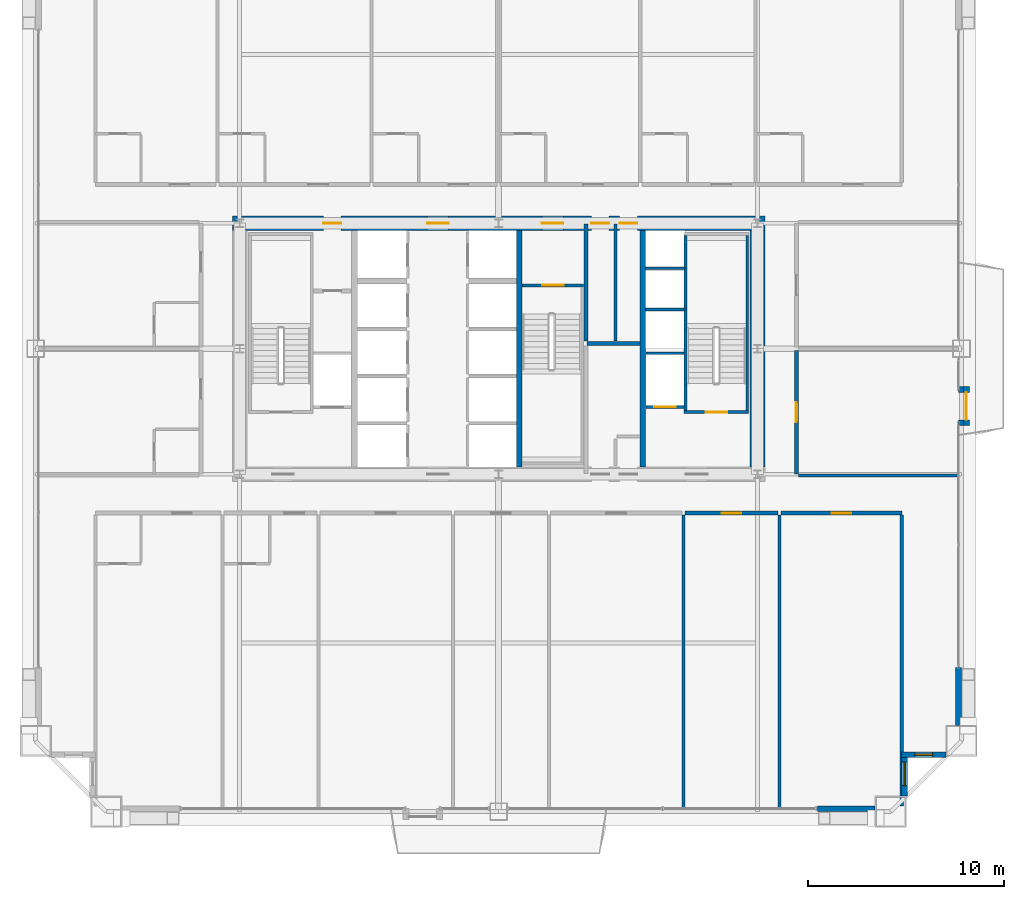
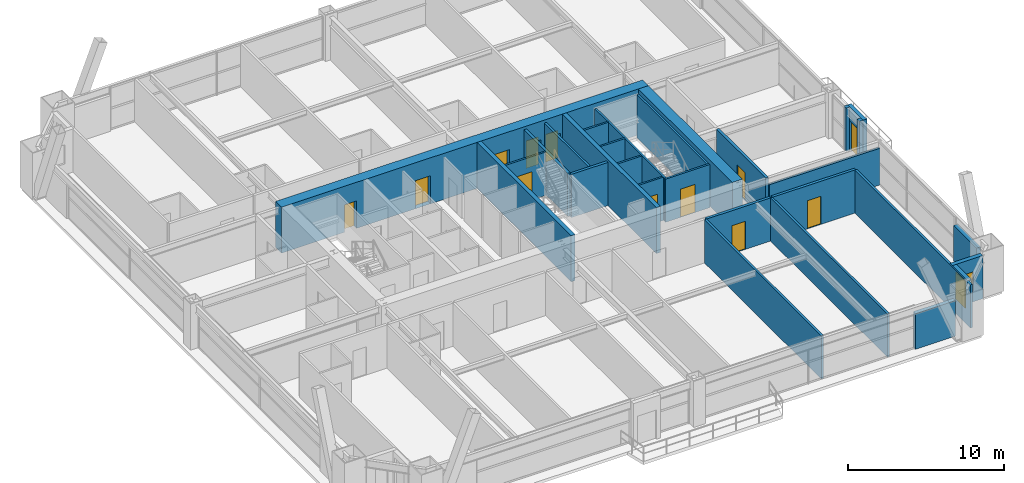
# One storey, part 40 of 43: 29 walls, 12 doors, 2 windows, 14 openings.
"""IFC4 building model written with IfcOpenShell, lengths in metres."""

from ifc_helpers import new_model, si_unit, direction, frame, frame_2d, origin, place, context, subcontext, project, spatial, rectangle, extrude, source, transform, mapped, material, layer, layer_set, type_object, element, fill, save


model = new_model("IFC4")

# Units and contexts
model_context = context("Model", 3, precision=1e-05, world=origin(), true_north=direction((0.0, 1.0)))
body_context = subcontext(model_context, "Body", "Model", "MODEL_VIEW")
ifc_project = project(units=[si_unit("LENGTHUNIT", "METRE"), si_unit("AREAUNIT", "SQUARE_METRE"), si_unit("VOLUMEUNIT", "CUBIC_METRE"), si_unit("PLANEANGLEUNIT", "RADIAN"), si_unit("MASSUNIT", "GRAM", prefix="KILO"), si_unit("THERMODYNAMICTEMPERATUREUNIT", "KELVIN"), si_unit("POWERUNIT", "WATT")], contexts=[model_context])

# Site, building, storey
site_placement = place(None, origin())
site = spatial("IfcSite", under=ifc_project, at=site_placement, CompositionType="ELEMENT")
building_placement = place(site_placement, origin())
building = spatial("IfcBuilding", under=site, at=building_placement, Name="Yuzanri Waterfront Tower", CompositionType="ELEMENT")
storey_placement = place(building_placement, frame((0.0, 0.0, 159.60009765625)))
storey = spatial("IfcBuildingStorey", under=building, at=storey_placement, Name="L42", CompositionType="ELEMENT", Elevation=159.60009765625)

# Wall, opening, window
ifc_material_1 = material(Name="Honed Chongqing Dark Basalt Stone", Category="masonry")
ifc_layer_1 = layer(ifc_material_1, 0.300048828125)
ifc_layer_set_1 = layer_set([ifc_layer_1], Name="Honed Chongqing Dark Basalt Stone")
wall_type_1 = type_object("IfcWallType", Name="Bronze Rainscreen Insulated Spandrel Portal Wall 300", PredefinedType="SOLIDWALL", material=ifc_layer_set_1)
wall_1_placement = place(storey_placement, frame((57.550048828125, 5.10009765625, 0.0), z_axis=(0.0, 0.0, 1.0), x_axis=(1.0, 0.0, 0.0)))
wall_1 = element("IfcWall", 1, at=wall_1_placement, inside=storey, type_object=wall_type_1, Name="L42 Notched Corner Masonry Wall SE-X", PredefinedType="SOLIDWALL", context=body_context, shape_type="SweptSolid", body=[
    extrude(rectangle(XDim=2.25, YDim=0.300048828125, at=frame_2d((1.125, 0.0))), origin(), (0.0, 0.0, 1.0), 3.3798828125),
])
opening_1_placement = place(wall_1_placement, frame((0.675048828125, 0.0, 0.85009765625)))
opening_1 = element("IfcOpeningElement", 2, at=opening_1_placement, cuts=wall_1, Name="Opening WN-05", PredefinedType="OPENING", context=body_context, shape_type="SweptSolid", body=[
    extrude(rectangle(XDim=0.89990234375, YDim=1.5, at=frame_2d((0.449951171875, 0.75))), frame((0.0, 0.1650390625, 0.0), z_axis=(0.0, -1.0, 0.0), x_axis=(1.0, 0.0, 0.0)), (0.0, 0.0, 1.0), 0.329833984375),
])
ifc_material_2 = material(Name="Double-Silver Low-E Insulated Glass", Category="glass")
window_type_1 = type_object("IfcWindowType", Name="Anodized Bronze Service and Stairwell Smoke-Vent Window 900x1500", PartitioningType="SINGLE_PANEL", PredefinedType="WINDOW", material=ifc_material_2)
shared_shape_1 = source(origin(), body_context, "Body", "SweptSolid", [
    extrude(rectangle(XDim=0.89990234375, YDim=1.5, at=frame_2d((0.449951171875, 0.75))), frame((0.0, 0.030029296875, 0.0), z_axis=(0.0, -1.0, 0.0), x_axis=(1.0, 0.0, 0.0)), (0.0, 0.0, 1.0), 0.06005859375),
])
window_1_placement = place(opening_1_placement, origin())
window_1 = element("IfcWindow", 3, at=window_1_placement, inside=storey, type_object=window_type_1, Name="L42 Notched Corner Window SE-X", OverallHeight=1.5, OverallWidth=0.89990234375, PartitioningType="SINGLE_PANEL", PredefinedType="WINDOW", context=body_context, shape_type="MappedRepresentation", body=[
    mapped(shared_shape_1, transform((0.0, 0.0, 0.0), scale=1.0)),
])
fill(opening_1, window_1)

wall_2_placement = place(storey_placement, frame((57.699951171875, 3.0, 0.0), z_axis=(0.0, 0.0, 1.0), x_axis=(0.0, 1.0, 0.0)))
wall_2 = element("IfcWall", 4, at=wall_2_placement, inside=storey, type_object=wall_type_1, Name="L42 Notched Corner Masonry Wall SE-Y", PredefinedType="SOLIDWALL", context=body_context, shape_type="SweptSolid", body=[
    extrude(rectangle(XDim=2.25, YDim=0.300048828125, at=frame_2d((1.125, 0.0))), origin(), (0.0, 0.0, 1.0), 3.3798828125),
])
opening_2_placement = place(wall_2_placement, frame((0.52490234375, 0.0, 0.85009765625)))
opening_2 = element("IfcOpeningElement", 5, at=opening_2_placement, cuts=wall_2, Name="Opening WN-02", PredefinedType="OPENING", context=body_context, shape_type="SweptSolid", body=[
    extrude(rectangle(XDim=1.199951171875, YDim=2.10009765625, at=frame_2d((0.60009765625, 1.050048828125))), frame((0.0, 0.1650390625, 0.0), z_axis=(0.0, -1.0, 0.0), x_axis=(1.0, 0.0, 0.0)), (0.0, 0.0, 1.0), 0.329833984375),
])
ifc_material_3 = material(Name="Double-Silver Low-E Insulated Glass", Category="glass")
window_type_2 = type_object("IfcWindowType", Name="Anodized Bronze Notched Corner Deep-Set Slot Window 1200x2100", PartitioningType="SINGLE_PANEL", PredefinedType="WINDOW", material=ifc_material_3)
shared_shape_2 = source(origin(), body_context, "Body", "SweptSolid", [
    extrude(rectangle(XDim=1.199951171875, YDim=2.10009765625, at=frame_2d((0.60009765625, 1.050048828125))), frame((0.0, 0.030029296875, 0.0), z_axis=(0.0, -1.0, 0.0), x_axis=(1.0, 0.0, 0.0)), (0.0, 0.0, 1.0), 0.06005859375),
])
window_2_placement = place(opening_2_placement, origin())
window_2 = element("IfcWindow", 6, at=window_2_placement, inside=storey, type_object=window_type_2, Name="L42 Notched Corner Window SE-Y", OverallHeight=2.10009765625, OverallWidth=1.199951171875, PartitioningType="SINGLE_PANEL", PredefinedType="WINDOW", context=body_context, shape_type="MappedRepresentation", body=[
    mapped(shared_shape_2, transform((0.0, 0.0, 0.0), scale=1.0)),
])
fill(opening_2, window_2)

# Wall, opening, door
wall_3_placement = place(storey_placement, frame((60.85009765625, 21.875, 0.0), z_axis=(0.0, 0.0, 1.0), x_axis=(0.0, 1.0, 0.0)))
wall_3 = element("IfcWall", 7, at=wall_3_placement, inside=storey, type_object=wall_type_1, Name="L42 E Terrace Door Portal Wall", PredefinedType="SOLIDWALL", context=body_context, shape_type="SweptSolid", body=[
    extrude(rectangle(XDim=2.0, YDim=0.300048828125, at=frame_2d((1.0, 0.0))), origin(), (0.0, 0.0, 1.0), 3.3798828125),
])
opening_3_placement = place(wall_3_placement, frame((0.300048828125, 0.0, 0.0)))
opening_3 = element("IfcOpeningElement", 8, at=opening_3_placement, cuts=wall_3, Name="Opening TD-1400", PredefinedType="OPENING", context=body_context, shape_type="SweptSolid", body=[
    extrude(rectangle(XDim=1.39990234375, YDim=2.300048828125, at=frame_2d((0.699951171875, 1.14990234375))), frame((0.0, 0.1650390625, 0.0), z_axis=(0.0, -1.0, 0.0), x_axis=(1.0, 0.0, 0.0)), (0.0, 0.0, 1.0), 0.329833984375),
])
ifc_material_4 = material(Name="Anodized Architectural Bronze", Category="metal")
door_type_1 = type_object("IfcDoorType", Name="Anodized Bronze Balcony and Terrace Glazed Double Door 1400x2300", OperationType="NOTDEFINED", PredefinedType="DOOR", material=ifc_material_4)
shared_shape_3 = source(origin(), body_context, "Body", "SweptSolid", [
    extrude(rectangle(XDim=1.39990234375, YDim=2.300048828125, at=frame_2d((0.699951171875, 1.14990234375))), frame((0.0, 0.02490234375, 0.0), z_axis=(0.0, -1.0, 0.0), x_axis=(1.0, 0.0, 0.0)), (0.0, 0.0, 1.0), 0.050048828125),
])
door_1_placement = place(opening_3_placement, origin())
door_1 = element("IfcDoor", 9, at=door_1_placement, inside=storey, type_object=door_type_1, Name="L42 E Terrace Glazed Double Door", OperationType="DOUBLE_DOOR_SINGLE_SWING", OverallHeight=2.300048828125, OverallWidth=1.39990234375, PredefinedType="DOOR", context=body_context, shape_type="MappedRepresentation", body=[
    mapped(shared_shape_3, transform((0.0, 0.0, 0.0), scale=1.0)),
])
fill(opening_3, door_1)

# Wall, openings, doors
ifc_material_5 = material(Name="Concrete C55", Category="concrete")
ifc_layer_2 = layer(ifc_material_5, 0.75)
ifc_layer_set_2 = layer_set([ifc_layer_2], Name="Concrete C55")
wall_type_2 = type_object("IfcWallType", Name="Concrete C55 Low-Mid Zone Core Shear Wall 750", PredefinedType="SHEAR", material=ifc_layer_set_2)
wall_4_placement = place(storey_placement, frame((23.425048828125, 32.199951171875, 0.0), z_axis=(0.0, 0.0, 1.0), x_axis=(1.0, 0.0, 0.0)))
wall_4 = element("IfcWall", 10, at=wall_4_placement, inside=storey, type_object=wall_type_2, Name="L42 Core North Shear Wall", PredefinedType="SHEAR", context=body_context, shape_type="SweptSolid", body=[
    extrude(rectangle(XDim=27.14990234375, YDim=0.75, at=frame_2d((13.574951171875, 0.0))), origin(), (0.0, 0.0, 1.0), 3.599853515625),
])
opening_4_placement = place(wall_4_placement, frame((4.64501953125, 0.0, 0.0)))
opening_4 = element("IfcOpeningElement", 11, at=opening_4_placement, cuts=wall_4, Name="Opening FD-0900", PredefinedType="OPENING", context=body_context, shape_type="SweptSolid", body=[
    extrude(rectangle(XDim=0.89990234375, YDim=2.14990234375, at=frame_2d((0.449951171875, 1.074951171875))), frame((0.0, 0.389892578125, 0.0), z_axis=(0.0, -1.0, 0.0), x_axis=(1.0, 0.0, 0.0)), (0.0, 0.0, 1.0), 0.77978515625),
])
opening_5_placement = place(wall_4_placement, frame((9.925048828125, 0.0, 0.0)))
opening_5 = element("IfcOpeningElement", 12, at=opening_5_placement, cuts=wall_4, Name="Opening FD-1100", PredefinedType="OPENING", context=body_context, shape_type="SweptSolid", body=[
    extrude(rectangle(XDim=1.10009765625, YDim=2.199951171875, at=frame_2d((0.550048828125, 1.10009765625))), frame((0.0, 0.389892578125, 0.0), z_axis=(0.0, -1.0, 0.0), x_axis=(1.0, 0.0, 0.0)), (0.0, 0.0, 1.0), 0.77978515625),
])
opening_6_placement = place(wall_4_placement, frame((15.77490234375, 0.0, 0.0)))
opening_6 = element("IfcOpeningElement", 13, at=opening_6_placement, cuts=wall_4, Name="Opening FD-1100", PredefinedType="OPENING", context=body_context, shape_type="SweptSolid", body=[
    extrude(rectangle(XDim=1.10009765625, YDim=2.199951171875, at=frame_2d((0.550048828125, 1.10009765625))), frame((0.0, 0.389892578125, 0.0), z_axis=(0.0, -1.0, 0.0), x_axis=(1.0, 0.0, 0.0)), (0.0, 0.0, 1.0), 0.77978515625),
])
opening_7_placement = place(wall_4_placement, frame((18.304931640625, 0.0, 0.0)))
opening_7 = element("IfcOpeningElement", 14, at=opening_7_placement, cuts=wall_4, Name="Opening FD-0900", PredefinedType="OPENING", context=body_context, shape_type="SweptSolid", body=[
    extrude(rectangle(XDim=0.89990234375, YDim=2.14990234375, at=frame_2d((0.449951171875, 1.074951171875))), frame((0.0, 0.389892578125, 0.0), z_axis=(0.0, -1.0, 0.0), x_axis=(1.0, 0.0, 0.0)), (0.0, 0.0, 1.0), 0.77978515625),
])
opening_8_placement = place(wall_4_placement, frame((19.7451171875, 0.0, 0.0)))
opening_8 = element("IfcOpeningElement", 15, at=opening_8_placement, cuts=wall_4, Name="Opening FD-0900", PredefinedType="OPENING", context=body_context, shape_type="SweptSolid", body=[
    extrude(rectangle(XDim=0.89990234375, YDim=2.14990234375, at=frame_2d((0.449951171875, 1.074951171875))), frame((0.0, 0.389892578125, 0.0), z_axis=(0.0, -1.0, 0.0), x_axis=(1.0, 0.0, 0.0)), (0.0, 0.0, 1.0), 0.77978515625),
])
ifc_material_6 = material(Name="Painted Galvanized Fire Steel", Category="steel")
door_type_2 = type_object("IfcDoorType", Name="Smoke-Proof Stair and Lobby Fire Door 1100x2200", OperationType="NOTDEFINED", PredefinedType="DOOR", material=ifc_material_6)
shared_shape_4 = source(origin(), body_context, "Body", "SweptSolid", [
    extrude(rectangle(XDim=1.10009765625, YDim=2.199951171875, at=frame_2d((0.550048828125, 1.10009765625))), frame((0.0, 0.02490234375, 0.0), z_axis=(0.0, -1.0, 0.0), x_axis=(1.0, 0.0, 0.0)), (0.0, 0.0, 1.0), 0.050048828125),
])
door_2_placement = place(opening_5_placement, origin())
door_2 = element("IfcDoor", 16, at=door_2_placement, inside=storey, type_object=door_type_2, Name="L42 Central Lift Lobby North Door", OperationType="SINGLE_SWING_LEFT", OverallHeight=2.199951171875, OverallWidth=1.10009765625, PredefinedType="DOOR", context=body_context, shape_type="MappedRepresentation", body=[
    mapped(shared_shape_4, transform((0.0, 0.0, 0.0), scale=1.0)),
])
fill(opening_5, door_2)
door_3_placement = place(opening_6_placement, origin())
door_3 = element("IfcDoor", 17, at=door_3_placement, inside=storey, type_object=door_type_2, Name="L42 North Stair Lobby Door", OperationType="SINGLE_SWING_RIGHT", OverallHeight=2.199951171875, OverallWidth=1.10009765625, PredefinedType="DOOR", context=body_context, shape_type="MappedRepresentation", body=[
    mapped(shared_shape_4, transform((0.0, 0.0, 0.0), scale=1.0)),
])
fill(opening_6, door_3)
ifc_material_7 = material(Name="Painted Galvanized Fire Steel", Category="steel")
door_type_3 = type_object("IfcDoorType", Name="Riser and Service Room Fire Door 900x2150", OperationType="NOTDEFINED", PredefinedType="DOOR", material=ifc_material_7)
shared_shape_5 = source(origin(), body_context, "Body", "SweptSolid", [
    extrude(rectangle(XDim=0.89990234375, YDim=2.14990234375, at=frame_2d((0.449951171875, 1.074951171875))), frame((0.0, 0.02490234375, 0.0), z_axis=(0.0, -1.0, 0.0), x_axis=(1.0, 0.0, 0.0)), (0.0, 0.0, 1.0), 0.050048828125),
])
door_4_placement = place(opening_4_placement, origin())
door_4 = element("IfcDoor", 18, at=door_4_placement, inside=storey, type_object=door_type_3, Name="L42 Telecom Riser Door", OperationType="SINGLE_SWING_RIGHT", OverallHeight=2.14990234375, OverallWidth=0.89990234375, PredefinedType="DOOR", context=body_context, shape_type="MappedRepresentation", body=[
    mapped(shared_shape_5, transform((0.0, 0.0, 0.0), scale=1.0)),
])
fill(opening_4, door_4)
door_5_placement = place(opening_7_placement, origin())
door_5 = element("IfcDoor", 19, at=door_5_placement, inside=storey, type_object=door_type_3, Name="L42 Common Store Room", OperationType="SINGLE_SWING_RIGHT", OverallHeight=2.14990234375, OverallWidth=0.89990234375, PredefinedType="DOOR", context=body_context, shape_type="MappedRepresentation", body=[
    mapped(shared_shape_5, transform((0.0, 0.0, 0.0), scale=1.0)),
])
fill(opening_7, door_5)
door_6_placement = place(opening_8_placement, origin())
door_6 = element("IfcDoor", 20, at=door_6_placement, inside=storey, type_object=door_type_3, Name="L42 Linen Store Room", OperationType="SINGLE_SWING_LEFT", OverallHeight=2.14990234375, OverallWidth=0.89990234375, PredefinedType="DOOR", context=body_context, shape_type="MappedRepresentation", body=[
    mapped(shared_shape_5, transform((0.0, 0.0, 0.0), scale=1.0)),
])
fill(opening_8, door_6)

# Wall, opening, door
ifc_material_8 = material(Name="Concrete C40", Category="concrete")
ifc_layer_3 = layer(ifc_material_8, 0.139892578125)
ifc_layer_set_3 = layer_set([ifc_layer_3], Name="Concrete C40")
wall_type_3 = type_object("IfcWallType", Name="Core Stair Liner and Hoistway Shaft Wall 140", PredefinedType="SOLIDWALL", material=ifc_layer_set_3)
wall_5_placement = place(storey_placement, frame((44.52001953125, 22.830078125, 0.0), z_axis=(0.0, 0.0, 1.0), x_axis=(1.0, 0.0, 0.0)))
wall_5 = element("IfcWall", 21, at=wall_5_placement, inside=storey, type_object=wall_type_3, Name="L42 Lift FL-02 Front Shaft Wall", PredefinedType="SOLIDWALL", context=body_context, shape_type="SweptSolid", body=[
    extrude(rectangle(XDim=1.919921875, YDim=0.139892578125, at=frame_2d((0.9599609375, 0.0))), origin(), (0.0, 0.0, 1.0), 3.3798828125),
])
opening_9_placement = place(wall_5_placement, frame((0.409912109375, 0.0, 0.0)))
opening_9 = element("IfcOpeningElement", 22, at=opening_9_placement, cuts=wall_5, Name="Opening LD-FL-02", PredefinedType="OPENING", context=body_context, shape_type="SweptSolid", body=[
    extrude(rectangle(XDim=1.10009765625, YDim=2.199951171875, at=frame_2d((0.550048828125, 1.10009765625))), frame((0.0, 0.0849609375, 0.0), z_axis=(0.0, -1.0, 0.0), x_axis=(1.0, 0.0, 0.0)), (0.0, 0.0, 1.0), 0.169677734375),
])
ifc_material_9 = material(Name="Brushed Bronze and Stainless Steel Cab", Category="steel")
door_type_4 = type_object("IfcDoorType", Name="Center-Parting Bronze Lift Landing Sliding Door 1100x2200", OperationType="NOTDEFINED", PredefinedType="DOOR", material=ifc_material_9)
shared_shape_6 = source(origin(), body_context, "Body", "SweptSolid", [
    extrude(rectangle(XDim=1.10009765625, YDim=2.199951171875, at=frame_2d((0.550048828125, 1.10009765625))), frame((0.0, 0.02490234375, 0.0), z_axis=(0.0, -1.0, 0.0), x_axis=(1.0, 0.0, 0.0)), (0.0, 0.0, 1.0), 0.050048828125),
])
door_7_placement = place(opening_9_placement, origin())
door_7 = element("IfcDoor", 23, at=door_7_placement, inside=storey, type_object=door_type_4, Name="L42 FL-02 Lift Landing Sliding Door", OperationType="SLIDING_TO_RIGHT", OverallHeight=2.199951171875, OverallWidth=1.10009765625, PredefinedType="DOOR", context=body_context, shape_type="MappedRepresentation", body=[
    mapped(shared_shape_6, transform((0.0, 0.0, 0.0), scale=1.0)),
])
fill(opening_9, door_7)

wall_6_placement = place(storey_placement, frame((46.4599609375, 22.570068359375, 0.0), z_axis=(0.0, 0.0, 1.0), x_axis=(1.0, 0.0, 0.0)))
wall_6 = element("IfcWall", 24, at=wall_6_placement, inside=storey, type_object=wall_type_3, Name="L42 Shaft Wall STW-L42-ST-02-S", PredefinedType="SOLIDWALL", context=body_context, shape_type="SweptSolid", body=[
    extrude(rectangle(XDim=3.280029296875, YDim=0.139892578125, at=frame_2d((1.64013671875, 0.0))), origin(), (0.0, 0.0, 1.0), 3.3798828125),
])
opening_10_placement = place(wall_6_placement, frame((1.090087890625, 0.0, 0.0)))
opening_10 = element("IfcOpeningElement", 25, at=opening_10_placement, cuts=wall_6, Name="Opening FD-1100", PredefinedType="OPENING", context=body_context, shape_type="SweptSolid", body=[
    extrude(rectangle(XDim=1.10009765625, YDim=2.199951171875, at=frame_2d((0.550048828125, 1.10009765625))), frame((0.0, 0.0849609375, 0.0), z_axis=(0.0, -1.0, 0.0), x_axis=(1.0, 0.0, 0.0)), (0.0, 0.0, 1.0), 0.169677734375),
])
door_8_placement = place(opening_10_placement, origin())
door_8 = element("IfcDoor", 26, at=door_8_placement, inside=storey, type_object=door_type_2, Name="L42 Stair ST-02 Fire Door", OperationType="SINGLE_SWING_LEFT", OverallHeight=2.199951171875, OverallWidth=1.10009765625, PredefinedType="DOOR", context=body_context, shape_type="MappedRepresentation", body=[
    mapped(shared_shape_4, transform((0.0, 0.0, 0.0), scale=1.0)),
])
fill(opening_10, door_8)

wall_7_placement = place(storey_placement, frame((38.199951171875, 29.030029296875, 0.0), z_axis=(0.0, 0.0, 1.0), x_axis=(1.0, 0.0, 0.0)))
wall_7 = element("IfcWall", 27, at=wall_7_placement, inside=storey, type_object=wall_type_3, Name="L42 Shaft Wall STW-L42-ST-03-N", PredefinedType="SOLIDWALL", context=body_context, shape_type="SweptSolid", body=[
    extrude(rectangle(XDim=3.14013671875, YDim=0.139892578125, at=frame_2d((1.570068359375, 0.0))), origin(), (0.0, 0.0, 1.0), 3.3798828125),
])
opening_11_placement = place(wall_7_placement, frame((1.02001953125, 0.0, 0.0)))
opening_11 = element("IfcOpeningElement", 28, at=opening_11_placement, cuts=wall_7, Name="Opening FD-1100", PredefinedType="OPENING", context=body_context, shape_type="SweptSolid", body=[
    extrude(rectangle(XDim=1.10009765625, YDim=2.199951171875, at=frame_2d((0.550048828125, 1.10009765625))), frame((0.0, 0.0849609375, 0.0), z_axis=(0.0, -1.0, 0.0), x_axis=(1.0, 0.0, 0.0)), (0.0, 0.0, 1.0), 0.169677734375),
])
door_9_placement = place(opening_11_placement, origin())
door_9 = element("IfcDoor", 29, at=door_9_placement, inside=storey, type_object=door_type_2, Name="L42 Stair ST-03 Fire Door", OperationType="SINGLE_SWING_RIGHT", OverallHeight=2.199951171875, OverallWidth=1.10009765625, PredefinedType="DOOR", context=body_context, shape_type="MappedRepresentation", body=[
    mapped(shared_shape_4, transform((0.0, 0.0, 0.0), scale=1.0)),
])
fill(opening_11, door_9)

ifc_material_10 = material(Name="Autoclaved Aerated Concrete Blockwork", Category="masonry")
ifc_layer_4 = layer(ifc_material_10, 0.199951171875)
ifc_layer_set_4 = layer_set([ifc_layer_4], Name="Autoclaved Aerated Concrete Blockwork")
wall_type_4 = type_object("IfcWallType", Name="Corridor and Unit Party Fire Wall 200", PredefinedType="PARTITIONING", material=ifc_layer_set_4)
wall_8_placement = place(storey_placement, frame((46.508056640625, 17.419921875, 0.0), z_axis=(0.0, 0.0, 1.0), x_axis=(1.0, 0.0, 0.0)))
wall_8 = element("IfcWall", 30, at=wall_8_placement, inside=storey, type_object=wall_type_4, Name="L42 Partition UW-L42-S6-CN", PredefinedType="PARTITIONING", context=body_context, shape_type="SweptSolid", body=[
    extrude(rectangle(XDim=4.72802734375, YDim=0.199951171875, at=frame_2d((2.364013671875, 0.0))), origin(), (0.0, 0.0, 1.0), 3.3798828125),
])
opening_12_placement = place(wall_8_placement, frame((1.864013671875, 0.0, 0.0)))
opening_12 = element("IfcOpeningElement", 31, at=opening_12_placement, cuts=wall_8, Name="Opening FD-1000", PredefinedType="OPENING", context=body_context, shape_type="SweptSolid", body=[
    extrude(rectangle(XDim=1.0, YDim=2.199951171875, at=frame_2d((0.5, 1.10009765625))), frame((0.0, 0.11474609375, 0.0), z_axis=(0.0, -1.0, 0.0), x_axis=(1.0, 0.0, 0.0)), (0.0, 0.0, 1.0), 0.229736328125),
])
ifc_material_11 = material(Name="Engineered Oak Fire-Rated Timber", Category="wood")
door_type_5 = type_object("IfcDoorType", Name="Guestroom and Apartment Entrance Fire Door 1000x2200", OperationType="NOTDEFINED", PredefinedType="DOOR", material=ifc_material_11)
shared_shape_7 = source(origin(), body_context, "Body", "SweptSolid", [
    extrude(rectangle(XDim=1.0, YDim=2.199951171875, at=frame_2d((0.5, 1.10009765625))), frame((0.0, 0.02490234375, 0.0), z_axis=(0.0, -1.0, 0.0), x_axis=(1.0, 0.0, 0.0)), (0.0, 0.0, 1.0), 0.050048828125),
])
door_10_placement = place(opening_12_placement, origin())
door_10 = element("IfcDoor", 32, at=door_10_placement, inside=storey, type_object=door_type_5, Name="L42 Office A Entrance Door", OperationType="SINGLE_SWING_LEFT", OverallHeight=2.199951171875, OverallWidth=1.0, PredefinedType="DOOR", context=body_context, shape_type="MappedRepresentation", body=[
    mapped(shared_shape_7, transform((0.0, 0.0, 0.0), scale=1.0)),
])
fill(opening_12, door_10)

wall_9_placement = place(storey_placement, frame((51.39599609375, 17.419921875, 0.0), z_axis=(0.0, 0.0, 1.0), x_axis=(1.0, 0.0, 0.0)))
wall_9 = element("IfcWall", 33, at=wall_9_placement, inside=storey, type_object=wall_type_4, Name="L42 Partition UW-L42-S7-CN", PredefinedType="PARTITIONING", context=body_context, shape_type="SweptSolid", body=[
    extrude(rectangle(XDim=6.1640625, YDim=0.199951171875, at=frame_2d((3.08203125, 0.0))), origin(), (0.0, 0.0, 1.0), 3.3798828125),
])
opening_13_placement = place(wall_9_placement, frame((2.58203125, 0.0, 0.0)))
opening_13 = element("IfcOpeningElement", 34, at=opening_13_placement, cuts=wall_9, Name="Opening FD-1000", PredefinedType="OPENING", context=body_context, shape_type="SweptSolid", body=[
    extrude(rectangle(XDim=1.0, YDim=2.199951171875, at=frame_2d((0.5, 1.10009765625))), frame((0.0, 0.11474609375, 0.0), z_axis=(0.0, -1.0, 0.0), x_axis=(1.0, 0.0, 0.0)), (0.0, 0.0, 1.0), 0.229736328125),
])
door_11_placement = place(opening_13_placement, origin())
door_11 = element("IfcDoor", 35, at=door_11_placement, inside=storey, type_object=door_type_5, Name="L42 Office B Entrance Door", OperationType="SINGLE_SWING_RIGHT", OverallHeight=2.199951171875, OverallWidth=1.0, PredefinedType="DOOR", context=body_context, shape_type="MappedRepresentation", body=[
    mapped(shared_shape_7, transform((0.0, 0.0, 0.0), scale=1.0)),
])
fill(opening_13, door_11)

wall_10_placement = place(storey_placement, frame((52.179931640625, 19.409912109375, 0.0), z_axis=(0.0, 0.0, 1.0), x_axis=(0.0, 1.0, 0.0)))
wall_10 = element("IfcWall", 36, at=wall_10_placement, inside=storey, type_object=wall_type_4, Name="L42 Partition UW-L42-E1-CW", PredefinedType="PARTITIONING", context=body_context, shape_type="SweptSolid", body=[
    extrude(rectangle(XDim=6.31005859375, YDim=0.199951171875, at=frame_2d((3.155029296875, 0.0))), origin(), (0.0, 0.0, 1.0), 3.3798828125),
])
opening_14_placement = place(wall_10_placement, frame((2.655029296875, 0.0, 0.0)))
opening_14 = element("IfcOpeningElement", 37, at=opening_14_placement, cuts=wall_10, Name="Opening FD-1000", PredefinedType="OPENING", context=body_context, shape_type="SweptSolid", body=[
    extrude(rectangle(XDim=1.0, YDim=2.199951171875, at=frame_2d((0.5, 1.10009765625))), frame((0.0, 0.11474609375, 0.0), z_axis=(0.0, -1.0, 0.0), x_axis=(1.0, 0.0, 0.0)), (0.0, 0.0, 1.0), 0.229736328125),
])
door_12_placement = place(opening_14_placement, origin())
door_12 = element("IfcDoor", 38, at=door_12_placement, inside=storey, type_object=door_type_5, Name="L42 Boardroom 1 Entrance Door", OperationType="SINGLE_SWING_LEFT", OverallHeight=2.199951171875, OverallWidth=1.0, PredefinedType="DOOR", context=body_context, shape_type="MappedRepresentation", body=[
    mapped(shared_shape_7, transform((0.0, 0.0, 0.0), scale=1.0)),
])
fill(opening_14, door_12)

# Walls
shared_shape_8 = source(origin(), body_context, "Body", "SweptSolid", [
    extrude(rectangle(XDim=12.050048828125, YDim=0.75, at=frame_2d((6.02490234375, 0.0))), origin(), (0.0, 0.0, 1.0), 3.599853515625),
])
wall_11_placement = place(storey_placement, frame((50.199951171875, 19.77490234375, 0.0), z_axis=(0.0, 0.0, 1.0), x_axis=(0.0, 1.0, 0.0)))
element("IfcWall", 39, at=wall_11_placement, inside=storey, type_object=wall_type_2, Name="L42 Core East Shear Wall", PredefinedType="SHEAR", context=body_context, shape_type="MappedRepresentation", body=[
    mapped(shared_shape_8, transform((0.0, 0.0, 0.0), scale=1.0)),
])
ifc_material_12 = material(Name="Concrete C50", Category="concrete")
ifc_layer_5 = layer(ifc_material_12, 0.300048828125)
ifc_layer_set_5 = layer_set([ifc_layer_5], Name="Concrete C50")
wall_type_5 = type_object("IfcWallType", Name="Concrete C50 Internal Core Shaft Structural Wall 300", PredefinedType="SOLIDWALL", material=ifc_layer_set_5)
shared_shape_9 = source(origin(), body_context, "Body", "SweptSolid", [
    extrude(rectangle(XDim=12.050048828125, YDim=0.300048828125, at=frame_2d((6.02490234375, 0.0))), origin(), (0.0, 0.0, 1.0), 3.599853515625),
])
for number, where, z_axis, x_axis, name in (
    (40, (38.050048828125, 19.77490234375, 0.0), (0.0, 0.0, 1.0), (0.0, 1.0, 0.0), "L42 Core Internal Structural Web Wall 2"),
    (41, (44.35009765625, 19.77490234375, 0.0), (0.0, 0.0, 1.0), (0.0, 1.0, 0.0), "L42 Core Internal Structural Web Wall 3"),
):
    element("IfcWall", number, at=place(storey_placement, frame(where, z_axis=z_axis, x_axis=x_axis)), inside=storey, type_object=wall_type_5, Name=name, PredefinedType="SOLIDWALL", context=body_context, shape_type="MappedRepresentation", body=[
        mapped(shared_shape_9, transform((0.0, 0.0, 0.0), scale=1.0)),
    ])
shared_shape_10 = source(origin(), body_context, "Body", "SweptSolid", [
    extrude(rectangle(XDim=0.25, YDim=0.300048828125, at=frame_2d((0.125, 0.0))), origin(), (0.0, 0.0, 1.0), 3.3798828125),
])
for number, where, z_axis, x_axis, name in (
    (42, (60.449951171875, 22.02490234375, 0.0), (0.0, 0.0, 1.0), (1.0, 0.0, 0.0), "L42 E Terrace Portal Left Return"),
    (43, (60.699951171875, 23.72509765625, 0.0), (0.0, 0.0, 1.0), (-1.0, 0.0, 0.0), "L42 E Terrace Portal Right Return"),
):
    element("IfcWall", number, at=place(storey_placement, frame(where, z_axis=z_axis, x_axis=x_axis)), inside=storey, type_object=wall_type_1, Name=name, PredefinedType="SOLIDWALL", context=body_context, shape_type="MappedRepresentation", body=[
        mapped(shared_shape_10, transform((0.0, 0.0, 0.0), scale=1.0)),
    ])
shared_shape_11 = source(origin(), body_context, "Body", "SweptSolid", [
    extrude(rectangle(XDim=2.949951171875, YDim=0.300048828125, at=frame_2d((1.47509765625, 0.0))), origin(), (0.0, 0.0, 1.0), 2.77490234375),
])
for number, where, z_axis, x_axis, name in (
    (44, (53.25, 2.35009765625, 0.0), (0.0, 0.0, 1.0), (1.0, 0.0, 0.0), "L42 S Right Braced Masonry Shoulder"),
    (45, (60.449951171875, 6.60009765625, 0.0), (0.0, 0.0, 1.0), (0.0, 1.0, 0.0), "L42 E Left Braced Masonry Shoulder"),
):
    element("IfcWall", number, at=place(storey_placement, frame(where, z_axis=z_axis, x_axis=x_axis)), inside=storey, type_object=wall_type_1, Name=name, PredefinedType="SOLIDWALL", context=body_context, shape_type="MappedRepresentation", body=[
        mapped(shared_shape_11, transform((0.0, 0.0, 0.0), scale=1.0)),
    ])
shared_shape_12 = source(origin(), body_context, "Body", "SweptSolid", [
    extrude(rectangle(XDim=1.919921875, YDim=0.139892578125, at=frame_2d((0.9599609375, 0.0))), origin(), (0.0, 0.0, 1.0), 3.3798828125),
])
wall_12_placement = place(storey_placement, frame((44.52001953125, 25.570068359375, 0.0), z_axis=(0.0, 0.0, 1.0), x_axis=(1.0, 0.0, 0.0)))
element("IfcWall", 46, at=wall_12_placement, inside=storey, type_object=wall_type_3, Name="L42 Lift FL-02 Back Shaft Wall", PredefinedType="SOLIDWALL", context=body_context, shape_type="MappedRepresentation", body=[
    mapped(shared_shape_12, transform((0.0, 0.0, 0.0), scale=1.0)),
])
shared_shape_13 = source(origin(), body_context, "Body", "SweptSolid", [
    extrude(rectangle(XDim=2.0, YDim=0.139892578125, at=frame_2d((1.0, 0.0))), origin(), (0.0, 0.0, 1.0), 3.3798828125),
])
for number, where, z_axis, x_axis, name in (
    (47, (44.5, 27.800048828125, 0.0), (0.0, 0.0, 1.0), (1.0, 0.0, 0.0), "L42 Lift PL-09 Divider Wall"),
    (48, (44.5, 29.89990234375, 0.0), (0.0, 0.0, 1.0), (1.0, 0.0, 0.0), "L42 Lift PL-10 Divider Wall"),
):
    element("IfcWall", number, at=place(storey_placement, frame(where, z_axis=z_axis, x_axis=x_axis)), inside=storey, type_object=wall_type_3, Name=name, PredefinedType="SOLIDWALL", context=body_context, shape_type="MappedRepresentation", body=[
        mapped(shared_shape_13, transform((0.0, 0.0, 0.0), scale=1.0)),
    ])
shared_shape_14 = source(origin(), body_context, "Body", "SweptSolid", [
    extrude(rectangle(XDim=8.940185546875, YDim=0.139892578125, at=frame_2d((4.47021484375, 0.0))), origin(), (0.0, 0.0, 1.0), 3.3798828125),
])
for number, where, z_axis, x_axis, name in (
    (49, (46.530029296875, 22.639892578125, 0.0), (0.0, 0.0, 1.0), (0.0, 1.0, 0.0), "L42 Stair ST-02 West Shaft Wall"),
    (50, (49.669921875, 22.639892578125, 0.0), (0.0, 0.0, 1.0), (0.0, 1.0, 0.0), "L42 Stair ST-02 East Shaft Wall"),
):
    element("IfcWall", number, at=place(storey_placement, frame(where, z_axis=z_axis, x_axis=x_axis)), inside=storey, type_object=wall_type_3, Name=name, PredefinedType="SOLIDWALL", context=body_context, shape_type="MappedRepresentation", body=[
        mapped(shared_shape_14, transform((0.0, 0.0, 0.0), scale=1.0)),
    ])
shared_shape_15 = source(origin(), body_context, "Body", "SweptSolid", [
    extrude(rectangle(XDim=2.699951171875, YDim=0.199951171875, at=frame_2d((1.35009765625, 0.0))), origin(), (0.0, 0.0, 1.0), 3.3798828125),
])
wall_13_placement = place(storey_placement, frame((41.5, 26.070068359375, 0.0), z_axis=(0.0, 0.0, 1.0), x_axis=(1.0, 0.0, 0.0)))
element("IfcWall", 51, at=wall_13_placement, inside=storey, type_object=wall_type_4, Name="L42 Core BOH Split Wall 1", PredefinedType="PARTITIONING", context=body_context, shape_type="MappedRepresentation", body=[
    mapped(shared_shape_15, transform((0.0, 0.0, 0.0), scale=1.0)),
])
shared_shape_16 = source(origin(), body_context, "Body", "SweptSolid", [
    extrude(rectangle(XDim=5.9599609375, YDim=0.199951171875, at=frame_2d((2.97998046875, 0.0))), origin(), (0.0, 0.0, 1.0), 3.3798828125),
])
wall_14_placement = place(storey_placement, frame((41.449951171875, 26.199951171875, 0.0), z_axis=(0.0, 0.0, 1.0), x_axis=(0.0, 1.0, 0.0)))
element("IfcWall", 52, at=wall_14_placement, inside=storey, type_object=wall_type_4, Name="L42 Core BOH West Wall 2", PredefinedType="PARTITIONING", context=body_context, shape_type="MappedRepresentation", body=[
    mapped(shared_shape_16, transform((0.0, 0.0, 0.0), scale=1.0)),
])
ifc_material_13 = material(Name="Gypsum Fireboard Acoustic Stud Wall", Category="gypsum")
ifc_layer_6 = layer(ifc_material_13, 0.159912109375)
ifc_layer_set_6 = layer_set([ifc_layer_6], Name="Gypsum Fireboard Acoustic Stud Wall")
wall_type_6 = type_object("IfcWallType", Name="Acoustic Suite Demising Partition 160", PredefinedType="PARTITIONING", material=ifc_layer_set_6)
shared_shape_17 = source(origin(), body_context, "Body", "SweptSolid", [
    extrude(rectangle(XDim=5.9599609375, YDim=0.159912109375, at=frame_2d((2.97998046875, 0.0))), origin(), (0.0, 0.0, 1.0), 3.3798828125),
])
wall_15_placement = place(storey_placement, frame((42.949951171875, 26.199951171875, 0.0), z_axis=(0.0, 0.0, 1.0), x_axis=(0.0, 1.0, 0.0)))
element("IfcWall", 53, at=wall_15_placement, inside=storey, type_object=wall_type_6, Name="L42 Core BOH Mid Wall 3", PredefinedType="PARTITIONING", context=body_context, shape_type="MappedRepresentation", body=[
    mapped(shared_shape_17, transform((0.0, 0.0, 0.0), scale=1.0)),
])
shared_shape_18 = source(origin(), body_context, "Body", "SweptSolid", [
    extrude(rectangle(XDim=8.169921875, YDim=0.159912109375, at=frame_2d((4.0849609375, 0.0))), origin(), (0.0, 0.0, 1.0), 2.875),
])
wall_16_placement = place(storey_placement, frame((52.280029296875, 19.330078125, 0.0), z_axis=(0.0, 0.0, 1.0), x_axis=(1.0, 0.0, 0.0)))
element("IfcWall", 54, at=wall_16_placement, inside=storey, type_object=wall_type_6, Name="L42-E1 Wing South End Wall", PredefinedType="PARTITIONING", context=body_context, shape_type="MappedRepresentation", body=[
    mapped(shared_shape_18, transform((0.0, 0.0, 0.0), scale=1.0)),
])
shared_shape_19 = source(origin(), body_context, "Body", "SweptSolid", [
    extrude(rectangle(XDim=14.969970703125, YDim=0.159912109375, at=frame_2d((7.48486328125, 0.0))), origin(), (0.0, 0.0, 1.0), 3.3798828125),
])
for number, where, z_axis, x_axis, name in (
    (55, (46.427978515625, 2.35009765625, 0.0), (0.0, 0.0, 1.0), (0.0, 1.0, 0.0), "L42-S5 Party Wall"),
    (56, (51.31591796875, 2.35009765625, 0.0), (0.0, 0.0, 1.0), (0.0, 1.0, 0.0), "L42-S6 Party Wall"),
):
    element("IfcWall", number, at=place(storey_placement, frame(where, z_axis=z_axis, x_axis=x_axis)), inside=storey, type_object=wall_type_6, Name=name, PredefinedType="PARTITIONING", context=body_context, shape_type="MappedRepresentation", body=[
        mapped(shared_shape_19, transform((0.0, 0.0, 0.0), scale=1.0)),
    ])
shared_shape_20 = source(origin(), body_context, "Body", "SweptSolid", [
    extrude(rectangle(XDim=14.820068359375, YDim=0.159912109375, at=frame_2d((7.41015625, 0.0))), origin(), (0.0, 0.0, 1.0), 3.3798828125),
])
wall_17_placement = place(storey_placement, frame((57.550048828125, 2.5, 0.0), z_axis=(0.0, 0.0, 1.0), x_axis=(0.0, 1.0, 0.0)))
element("IfcWall", 57, at=wall_17_placement, inside=storey, type_object=wall_type_6, Name="L42 South Band East End Wall", PredefinedType="PARTITIONING", context=body_context, shape_type="MappedRepresentation", body=[
    mapped(shared_shape_20, transform((0.0, 0.0, 0.0), scale=1.0)),
])

save(model, "model.ifc")
